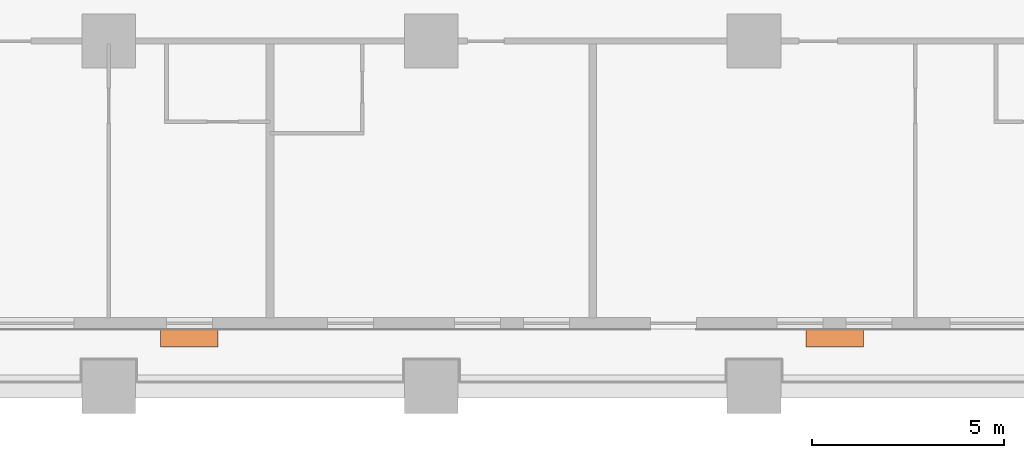
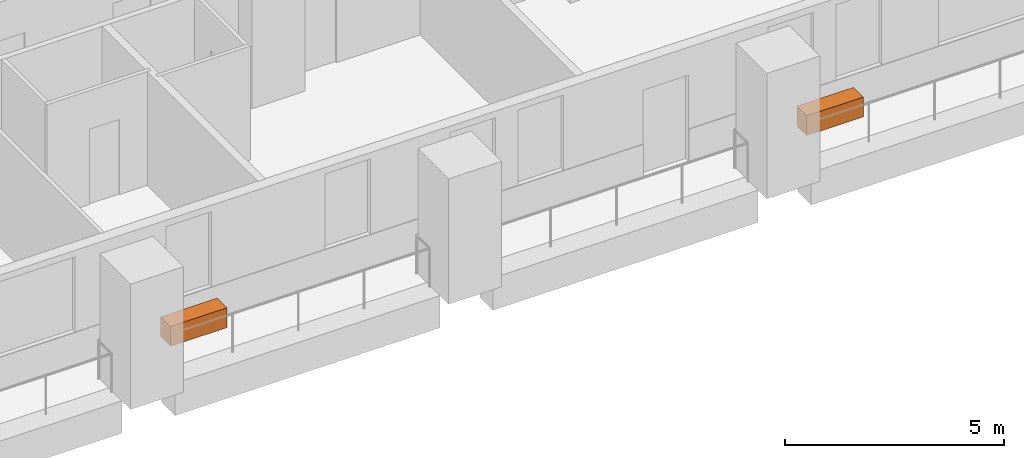
# One storey, part 12 of 12: 2 proxies.
"""IFC4 building model written with IfcOpenShell, lengths in metres."""

from ifc_helpers import new_model, si_unit, direction, frame, origin, origin_2d, place, context, subcontext, project, spatial, rectangle, extrude, element, save


model = new_model("IFC4")

# Units and contexts
model_context = context("Model", 3, precision=1e-05, world=origin(), true_north=direction((0.0, 1.0)))
body_context = subcontext(model_context, "Body", "Model", "MODEL_VIEW")
ifc_project = project(units=[si_unit("LENGTHUNIT", "METRE"), si_unit("AREAUNIT", "SQUARE_METRE"), si_unit("VOLUMEUNIT", "CUBIC_METRE"), si_unit("PLANEANGLEUNIT", "RADIAN"), si_unit("MASSUNIT", "GRAM", prefix="KILO")], contexts=[model_context])

# Site, building, storey
site_placement = place(None, origin())
site = spatial("IfcSite", under=ifc_project, at=site_placement, CompositionType="ELEMENT")
building_placement = place(site_placement, origin())
building = spatial("IfcBuilding", under=site, at=building_placement, Name="Candeia Pilgrim Tower and Theatre", CompositionType="ELEMENT")
storey_placement = place(building_placement, frame((0.0, 0.0, 74.0)))
storey = spatial("IfcBuildingStorey", under=building, at=storey_placement, Name="L16", CompositionType="ELEMENT", Elevation=74.0)

# Proxies
for number, where, z_axis, x_axis, name in (
    (1, (102.89990234375, 99.2548828125, 0.0), (0.0, 0.0, 1.0), (1.0, 0.0, 0.0), "Planter"),
    (2, (119.699951171875, 99.2548828125, 0.0), (0.0, 0.0, 1.0), (1.0, 0.0, 0.0), "Planter"),
):
    element("IfcBuildingElementProxy", number, at=place(storey_placement, frame(where, z_axis=z_axis, x_axis=x_axis)), inside=storey, Name=name, ObjectType="PLANTER", PredefinedType="USERDEFINED", context=body_context, shape_type="SweptSolid", body=[
        extrude(rectangle(XDim=1.5, YDim=0.449951171875, at=origin_2d()), origin(), (0.0, 0.0, 1.0), 0.550048828125),
    ])

save(model, "model.ifc")
